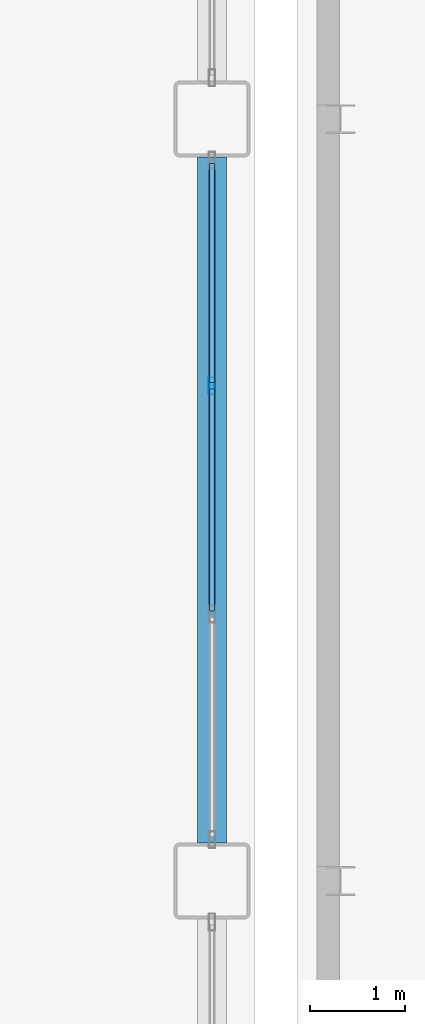
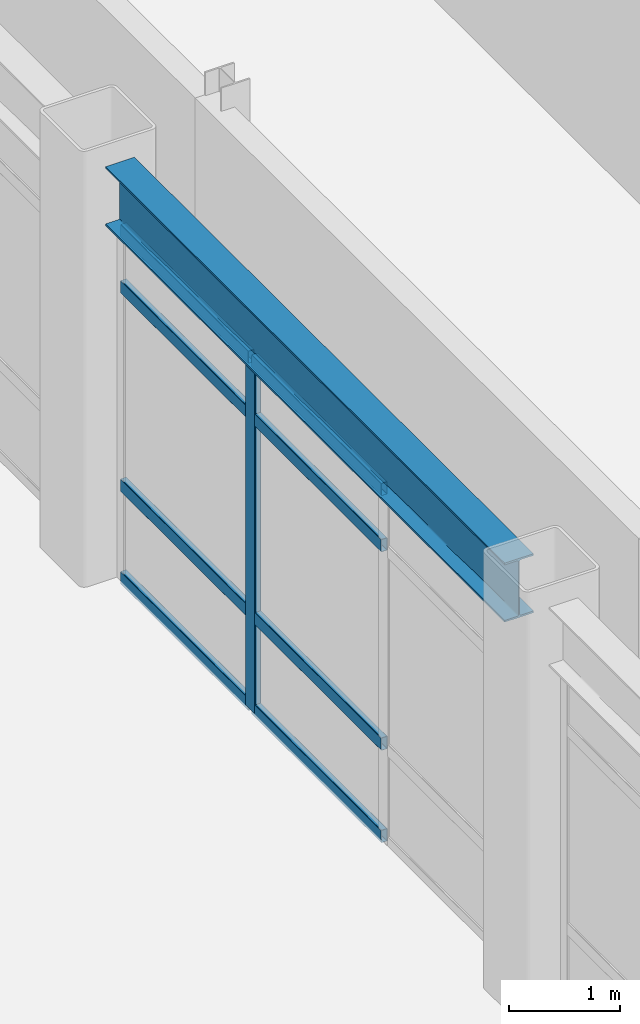
# One storey, part 65 of 154: 9 members, 1 beam, 1 element without a shape of its own.
"""IFC4 building model written with IfcOpenShell, lengths in metres."""

from ifc_helpers import new_model, si_unit, direction, frame, origin, origin_2d, place, context, subcontext, project, spatial, hollow_rectangle, i_section, extrude, material, layer, layer_set, material_profile, profile_set, type_object, element, aggregate, save


model = new_model("IFC4")

# Units and contexts
model_context = context("Model", 3, precision=1e-05, world=origin(), true_north=direction((0.0, 1.0)))
body_context = subcontext(model_context, "Body", "Model", "MODEL_VIEW")
ifc_project = project(units=[si_unit("LENGTHUNIT", "METRE"), si_unit("AREAUNIT", "SQUARE_METRE"), si_unit("VOLUMEUNIT", "CUBIC_METRE"), si_unit("PLANEANGLEUNIT", "RADIAN"), si_unit("MASSUNIT", "GRAM", prefix="KILO")], contexts=[model_context])

# Site, building, storey
site_placement = place(None, origin())
site = spatial("IfcSite", under=ifc_project, at=site_placement, CompositionType="ELEMENT")
building_placement = place(site_placement, origin())
building = spatial("IfcBuilding", under=site, at=building_placement, Name="Kazehara Bluff Congress Hotel", CompositionType="ELEMENT")
storey_placement = place(building_placement, frame((0.0, 0.0, 10.199951171875)))
storey = spatial("IfcBuildingStorey", under=building, at=storey_placement, Name="L02", CompositionType="ELEMENT", Elevation=10.199951171875)

# Curtain wall, members
ifc_material_1 = material(Name="Anodised aluminium", Category="aluminium")
ifc_layer = layer(ifc_material_1, 0.159912109375)
ifc_layer_set = layer_set([ifc_layer], Name="Anodised aluminium")
curtain_wall_type = type_object("IfcCurtainWallType", Name="TP-CW-23", PredefinedType="NOTDEFINED", material=ifc_layer_set)
curtain_wall_placement = place(storey_placement, origin())
curtain_wall = element("IfcCurtainWall", 1, at=curtain_wall_placement, inside=storey, type_object=curtain_wall_type, Name="L02 curtain wall CW-23 CW-V1-L02-X5835-8930", PredefinedType="NOTDEFINED")
ifc_material_2 = material(Name="Anodised aluminium", Category="aluminium")
ifc_material_profile_1 = material_profile(ifc_material_2, hollow_rectangle(XDim=0.06494140625, YDim=0.179931640625, WallThickness=0.00390625, InnerFilletRadius=0.00390625, OuterFilletRadius=0.008056640625, at=origin_2d()))
ifc_profile_set_1 = profile_set([ifc_material_profile_1], Name="Anodised aluminium")
member_type_1 = type_object("IfcMemberType", Name="TP-CWM-02", PredefinedType="MULLION", material=ifc_profile_set_1)
member_1_placement = place(storey_placement, frame((58.35009765625, 94.10009765625, 0.0), z_axis=(0.0, 0.0, 1.0), x_axis=(-1.0, 0.0, 0.0)))
member_1 = element("IfcMember", 2, at=member_1_placement, type_object=member_type_1, Name="CW-23 mullion 3", PredefinedType="MULLION", context=body_context, shape_type="SweptSolid", body=[
    extrude(hollow_rectangle(XDim=0.06494140625, YDim=0.179931640625, WallThickness=0.00390625, InnerFilletRadius=0.00390625, OuterFilletRadius=0.008056640625, at=origin_2d()), origin(), (0.0, 0.0, 1.0), 3.885009765625),
])
ifc_material_3 = material(Name="Anodised aluminium", Category="aluminium")
ifc_material_profile_2 = material_profile(ifc_material_3, hollow_rectangle(XDim=0.06494140625, YDim=0.139892578125, WallThickness=0.00390625, InnerFilletRadius=0.00390625, OuterFilletRadius=0.008056640625, at=origin_2d()))
ifc_profile_set_2 = profile_set([ifc_material_profile_2], Name="Anodised aluminium")
member_type_2 = type_object("IfcMemberType", Name="TP-CWT-02", PredefinedType="USERDEFINED", material=ifc_profile_set_2)
member_2_placement = place(storey_placement, frame((58.35009765625, 91.732421875, 0.032470703125), z_axis=(0.0, 1.0, 0.0), x_axis=(-1.0, 0.0, 0.0)))
member_2 = element("IfcMember", 3, at=member_2_placement, type_object=member_type_2, Name="CW-23 transom 2.1", ObjectType="TRANSOM", PredefinedType="USERDEFINED", context=body_context, shape_type="SweptSolid", body=[
    extrude(hollow_rectangle(XDim=0.06494140625, YDim=0.139892578125, WallThickness=0.00390625, InnerFilletRadius=0.00390625, OuterFilletRadius=0.008056640625, at=origin_2d()), origin(), (0.0, 0.0, 1.0), 2.3349609375),
])
member_3_placement = place(storey_placement, frame((58.35009765625, 91.732421875, 1.050048828125), z_axis=(0.0, 1.0, 0.0), x_axis=(-1.0, 0.0, 0.0)))
member_3 = element("IfcMember", 4, at=member_3_placement, type_object=member_type_2, Name="CW-23 transom 2.2", ObjectType="TRANSOM", PredefinedType="USERDEFINED", context=body_context, shape_type="SweptSolid", body=[
    extrude(hollow_rectangle(XDim=0.06494140625, YDim=0.139892578125, WallThickness=0.00390625, InnerFilletRadius=0.00390625, OuterFilletRadius=0.008056640625, at=origin_2d()), origin(), (0.0, 0.0, 1.0), 2.3349609375),
])
member_4_placement = place(storey_placement, frame((58.35009765625, 91.732421875, 3.235107421875), z_axis=(0.0, 1.0, 0.0), x_axis=(-1.0, 0.0, 0.0)))
member_4 = element("IfcMember", 5, at=member_4_placement, type_object=member_type_2, Name="CW-23 transom 2.3", ObjectType="TRANSOM", PredefinedType="USERDEFINED", context=body_context, shape_type="SweptSolid", body=[
    extrude(hollow_rectangle(XDim=0.06494140625, YDim=0.139892578125, WallThickness=0.00390625, InnerFilletRadius=0.00390625, OuterFilletRadius=0.008056640625, at=origin_2d()), origin(), (0.0, 0.0, 1.0), 2.3349609375),
])
member_5_placement = place(storey_placement, frame((58.35009765625, 91.732421875, 3.8525390625), z_axis=(0.0, 1.0, 0.0), x_axis=(-1.0, 0.0, 0.0)))
member_5 = element("IfcMember", 6, at=member_5_placement, type_object=member_type_2, Name="CW-23 transom 2.4", ObjectType="TRANSOM", PredefinedType="USERDEFINED", context=body_context, shape_type="SweptSolid", body=[
    extrude(hollow_rectangle(XDim=0.06494140625, YDim=0.139892578125, WallThickness=0.00390625, InnerFilletRadius=0.00390625, OuterFilletRadius=0.008056640625, at=origin_2d()), origin(), (0.0, 0.0, 1.0), 2.3349609375),
])
member_6_placement = place(storey_placement, frame((58.35009765625, 94.132568359375, 0.032470703125), z_axis=(0.0, 1.0, 0.0), x_axis=(-1.0, 0.0, 0.0)))
member_6 = element("IfcMember", 7, at=member_6_placement, type_object=member_type_2, Name="CW-23 transom 3.1", ObjectType="TRANSOM", PredefinedType="USERDEFINED", context=body_context, shape_type="SweptSolid", body=[
    extrude(hollow_rectangle(XDim=0.06494140625, YDim=0.139892578125, WallThickness=0.00390625, InnerFilletRadius=0.00390625, OuterFilletRadius=0.008056640625, at=origin_2d()), origin(), (0.0, 0.0, 1.0), 2.302490234375),
])
member_7_placement = place(storey_placement, frame((58.35009765625, 94.132568359375, 1.050048828125), z_axis=(0.0, 1.0, 0.0), x_axis=(-1.0, 0.0, 0.0)))
member_7 = element("IfcMember", 8, at=member_7_placement, type_object=member_type_2, Name="CW-23 transom 3.2", ObjectType="TRANSOM", PredefinedType="USERDEFINED", context=body_context, shape_type="SweptSolid", body=[
    extrude(hollow_rectangle(XDim=0.06494140625, YDim=0.139892578125, WallThickness=0.00390625, InnerFilletRadius=0.00390625, OuterFilletRadius=0.008056640625, at=origin_2d()), origin(), (0.0, 0.0, 1.0), 2.302490234375),
])
member_8_placement = place(storey_placement, frame((58.35009765625, 94.132568359375, 3.235107421875), z_axis=(0.0, 1.0, 0.0), x_axis=(-1.0, 0.0, 0.0)))
member_8 = element("IfcMember", 9, at=member_8_placement, type_object=member_type_2, Name="CW-23 transom 3.3", ObjectType="TRANSOM", PredefinedType="USERDEFINED", context=body_context, shape_type="SweptSolid", body=[
    extrude(hollow_rectangle(XDim=0.06494140625, YDim=0.139892578125, WallThickness=0.00390625, InnerFilletRadius=0.00390625, OuterFilletRadius=0.008056640625, at=origin_2d()), origin(), (0.0, 0.0, 1.0), 2.302490234375),
])
member_9_placement = place(storey_placement, frame((58.35009765625, 94.132568359375, 3.8525390625), z_axis=(0.0, 1.0, 0.0), x_axis=(-1.0, 0.0, 0.0)))
member_9 = element("IfcMember", 10, at=member_9_placement, type_object=member_type_2, Name="CW-23 transom 3.4", ObjectType="TRANSOM", PredefinedType="USERDEFINED", context=body_context, shape_type="SweptSolid", body=[
    extrude(hollow_rectangle(XDim=0.06494140625, YDim=0.139892578125, WallThickness=0.00390625, InnerFilletRadius=0.00390625, OuterFilletRadius=0.008056640625, at=origin_2d()), origin(), (0.0, 0.0, 1.0), 2.302490234375),
])
aggregate(curtain_wall, [member_1, member_2, member_3, member_4, member_5, member_6, member_7, member_8, member_9])

# Beam
ifc_material_4 = material(Name="Steel SN490B", Category="steel")
ifc_material_profile_3 = material_profile(ifc_material_4, i_section(OverallWidth=0.300048828125, OverallDepth=0.64990234375, WebThickness=0.011962890625, FlangeThickness=0.02001953125, FilletRadius=0.012939453125, at=origin_2d()))
ifc_profile_set_3 = profile_set([ifc_material_profile_3], Name="Steel SN490B")
beam_type = type_object("IfcBeamType", Name="TP-G-03", PredefinedType="BEAM", material=ifc_profile_set_3)
beam_placement = place(storey_placement, frame((58.35009765625, 89.300048828125, 4.235107421875), z_axis=(0.0, 1.0, 0.0), x_axis=(-1.0, 0.0, 0.0)))
element("IfcBeam", 11, at=beam_placement, inside=storey, type_object=beam_type, Name="L02 girder G-03 22", PredefinedType="BEAM", context=body_context, shape_type="SweptSolid", body=[
    extrude(i_section(OverallWidth=0.300048828125, OverallDepth=0.64990234375, WebThickness=0.011962890625, FlangeThickness=0.02001953125, FilletRadius=0.012939453125, at=origin_2d()), origin(), (0.0, 0.0, 1.0), 7.199951171875),
])

save(model, "model.ifc")
